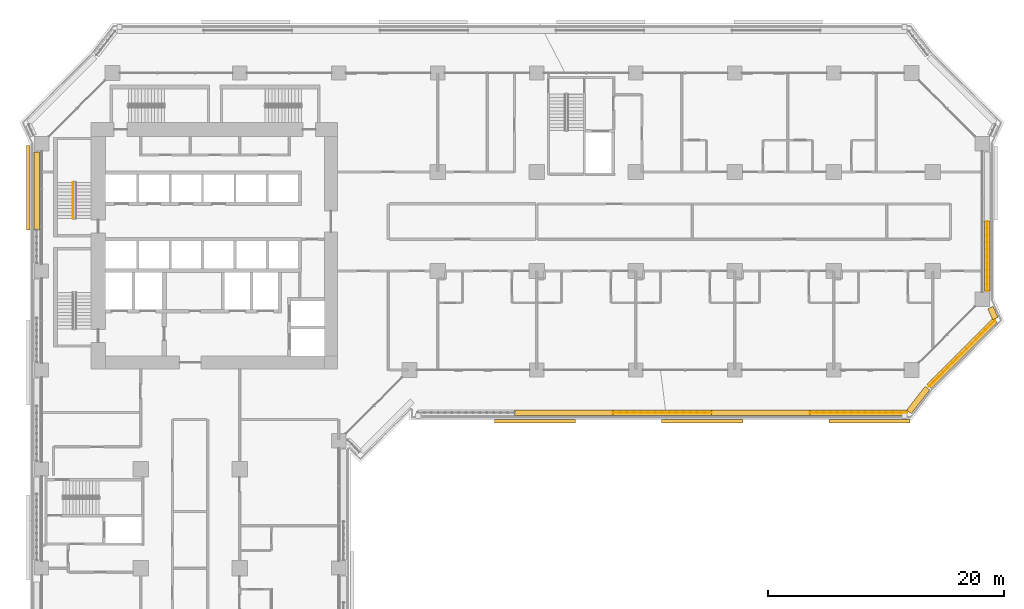
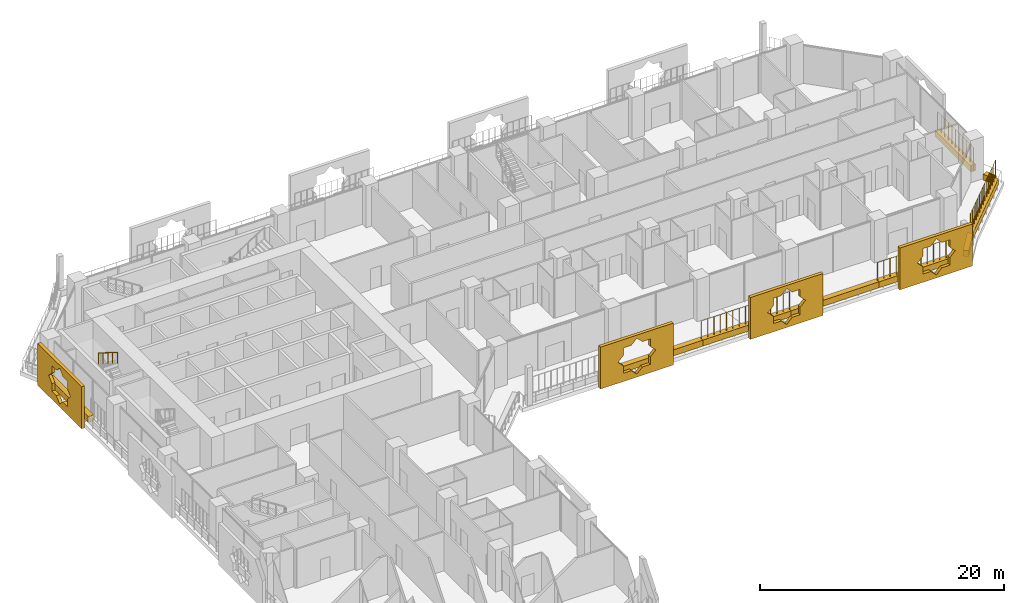
# One storey, part 26 of 29: 13 coverings, 5 railings.
"""IFC4 building model written with IfcOpenShell, lengths in metres."""

from ifc_helpers import new_model, si_unit, direction, frame, origin, origin_2d, place, context, subcontext, project, spatial, polyline, rectangle, circle, outline, extrude, material, material_profile, profile_set, type_object, element, save


model = new_model("IFC4")

# Units and contexts
model_context = context("Model", 3, precision=1e-05, world=origin(), true_north=direction((0.0, 1.0)))
body_context = subcontext(model_context, "Body", "Model", "MODEL_VIEW")
ifc_project = project(units=[si_unit("LENGTHUNIT", "METRE"), si_unit("AREAUNIT", "SQUARE_METRE"), si_unit("VOLUMEUNIT", "CUBIC_METRE"), si_unit("PLANEANGLEUNIT", "RADIAN"), si_unit("MASSUNIT", "GRAM", prefix="KILO")], contexts=[model_context])

# Site, building, storey
site_placement = place(None, origin())
site = spatial("IfcSite", under=ifc_project, at=site_placement, CompositionType="ELEMENT")
building_placement = place(site_placement, origin())
building = spatial("IfcBuilding", under=site, at=building_placement, Name="Kawkab Arch Medical Tower", CompositionType="ELEMENT")
storey_placement = place(building_placement, frame((0.0, 0.0, 60.199951171875)))
storey = spatial("IfcBuildingStorey", under=building, at=storey_placement, Name="L13", CompositionType="ELEMENT", Elevation=60.199951171875)

# Coverings
ifc_material_1 = material(Name="Bronze anodised aluminium mashrabiya panel, eight-point star pattern", Category="aluminium")
ifc_material_profile_1 = material_profile(ifc_material_1, outline(polyline([(-3.449951171875, -2.10009765625), (3.449951171875, -2.10009765625), (3.449951171875, 2.10009765625), (-3.449951171875, 2.10009765625), (-3.449951171875, -2.10009765625)]), holes=[polyline([(1.800048828125, 0.0), (1.272705078125, 0.527099609375), (1.272705078125, 1.272705078125), (0.527099609375, 1.272705078125), (0.0, 1.800048828125), (-0.527099609375, 1.272705078125), (-1.272705078125, 1.272705078125), (-1.272705078125, 0.527099609375), (-1.800048828125, 0.0), (-1.272705078125, -0.527099609375), (-1.272705078125, -1.272705078125), (-0.527099609375, -1.272705078125), (0.0, -1.800048828125), (0.527099609375, -1.272705078125), (1.272705078125, -1.272705078125), (1.272705078125, -0.527099609375), (1.800048828125, 0.0)])]), Name="Mashrabiya panel 6900x4200")
ifc_profile_set_1 = profile_set([ifc_material_profile_1], Name="Bronze anodised aluminium mashrabiya panel, eight-point star pattern")
covering_type_1 = type_object("IfcCoveringType", Name="Mashrabiya panel 6900 x 4200", PredefinedType="USERDEFINED", material=ifc_profile_set_1)
for number, where, z_axis, x_axis, name in (
    (1, (70.226318359375, -29.39990234375, 1.699951171875), (0.0, -1.0, 0.0), (1.0, 0.0, 0.0), "Mashrabiya panel L13.LOG-01-01.11"),
    (2, (56.05126953125, -29.39990234375, 1.699951171875), (0.0, -1.0, 0.0), (1.0, 0.0, 0.0), "Mashrabiya panel L13.LOG-01-01.12"),
    (3, (41.856201171875, -29.39990234375, 1.699951171875), (0.0, -1.0, 0.0), (1.0, 0.0, 0.0), "Mashrabiya panel L13.LOG-01-01.13"),
):
    element("IfcCovering", number, at=place(storey_placement, frame(where, z_axis=z_axis, x_axis=x_axis)), inside=storey, type_object=covering_type_1, Name=name, ObjectType="SCREEN", PredefinedType="USERDEFINED", context=body_context, shape_type="SweptSolid", body=[
        extrude(outline(polyline([(-3.449951171875, -2.10009765625), (3.449951171875, -2.10009765625), (3.449951171875, 2.10009765625), (-3.449951171875, 2.10009765625), (-3.449951171875, -2.10009765625)]), holes=[polyline([(1.800048828125, 0.0), (1.272705078125, 0.527099609375), (1.272705078125, 1.272705078125), (0.527099609375, 1.272705078125), (0.0, 1.800048828125), (-0.527099609375, 1.272705078125), (-1.272705078125, 1.272705078125), (-1.272705078125, 0.527099609375), (-1.800048828125, 0.0), (-1.272705078125, -0.527099609375), (-1.272705078125, -1.272705078125), (-0.527099609375, -1.272705078125), (0.0, -1.800048828125), (0.527099609375, -1.272705078125), (1.272705078125, -1.272705078125), (1.272705078125, -0.527099609375), (1.800048828125, 0.0)])]), origin(), (0.0, 0.0, 1.0), 0.300048828125),
    ])
ifc_material_2 = material(Name="Bronze anodised aluminium mashrabiya panel, eight-point star pattern", Category="aluminium")
ifc_material_profile_2 = material_profile(ifc_material_2, outline(polyline([(-3.60009765625, -2.10009765625), (3.60009765625, -2.10009765625), (3.60009765625, 2.10009765625), (-3.60009765625, 2.10009765625), (-3.60009765625, -2.10009765625)]), holes=[polyline([(1.800048828125, 0.0), (1.272705078125, 0.527099609375), (1.272705078125, 1.272705078125), (0.527099609375, 1.272705078125), (0.0, 1.800048828125), (-0.527099609375, 1.272705078125), (-1.272705078125, 1.272705078125), (-1.272705078125, 0.527099609375), (-1.800048828125, 0.0), (-1.272705078125, -0.527099609375), (-1.272705078125, -1.272705078125), (-0.527099609375, -1.272705078125), (0.0, -1.800048828125), (0.527099609375, -1.272705078125), (1.272705078125, -1.272705078125), (1.272705078125, -0.527099609375), (1.800048828125, 0.0)])]), Name="Mashrabiya panel 7200x4200")
ifc_profile_set_2 = profile_set([ifc_material_profile_2], Name="Bronze anodised aluminium mashrabiya panel, eight-point star pattern")
covering_type_2 = type_object("IfcCoveringType", Name="Mashrabiya panel 7200 x 4200", PredefinedType="USERDEFINED", material=ifc_profile_set_2)
covering_1_placement = place(storey_placement, frame((-1.0, -9.730712890625, 1.699951171875), z_axis=(-1.0, 0.0, 0.0), x_axis=(0.0, -1.0, 0.0)))
element("IfcCovering", 4, at=covering_1_placement, inside=storey, type_object=covering_type_2, Name="Mashrabiya panel L13.LOG-01-01.5", ObjectType="SCREEN", PredefinedType="USERDEFINED", context=body_context, shape_type="SweptSolid", body=[
    extrude(outline(polyline([(-3.60009765625, -2.10009765625), (3.60009765625, -2.10009765625), (3.60009765625, 2.10009765625), (-3.60009765625, 2.10009765625), (-3.60009765625, -2.10009765625)]), holes=[polyline([(1.800048828125, 0.0), (1.272705078125, 0.527099609375), (1.272705078125, 1.272705078125), (0.527099609375, 1.272705078125), (0.0, 1.800048828125), (-0.527099609375, 1.272705078125), (-1.272705078125, 1.272705078125), (-1.272705078125, 0.527099609375), (-1.800048828125, 0.0), (-1.272705078125, -0.527099609375), (-1.272705078125, -1.272705078125), (-0.527099609375, -1.272705078125), (0.0, -1.800048828125), (0.527099609375, -1.272705078125), (1.272705078125, -1.272705078125), (1.272705078125, -0.527099609375), (1.800048828125, 0.0)])]), origin(), (0.0, 0.0, 1.0), 0.300048828125),
])
ifc_material_3 = material(Name="Planting soil in a precast trough", Category="concrete")
ifc_material_profile_3 = material_profile(ifc_material_3, rectangle(XDim=0.5, YDim=0.60009765625, at=origin_2d()), Name="Trough 500x600")
ifc_profile_set_3 = profile_set([ifc_material_profile_3], Name="Planting soil in a precast trough")
covering_type_3 = type_object("IfcCoveringType", Name="Planter trough 500 x 600", PredefinedType="USERDEFINED", material=ifc_profile_set_3)
covering_2_placement = place(storey_placement, frame((-0.419921875, -13.3310546875, 0.300048828125), z_axis=(0.0, 1.0, 0.0), x_axis=(-1.0, 0.0, 0.0)))
element("IfcCovering", 5, at=covering_2_placement, inside=storey, type_object=covering_type_3, Name="Planter L13.LOG-01-01.16", ObjectType="PLANTER", PredefinedType="USERDEFINED", context=body_context, shape_type="SweptSolid", body=[
    extrude(rectangle(XDim=0.5, YDim=0.60009765625, at=origin_2d()), origin(), (0.0, 0.0, 1.0), 6.6259765625),
])
covering_3_placement = place(storey_placement, frame((80.219970703125, -12.60009765625, 0.300048828125), z_axis=(0.0, -1.0, 0.0), x_axis=(1.0, 0.0, 0.0)))
element("IfcCovering", 6, at=covering_3_placement, inside=storey, type_object=covering_type_3, Name="Planter L13.LOG-01-01.33", ObjectType="PLANTER", PredefinedType="USERDEFINED", context=body_context, shape_type="SweptSolid", body=[
    extrude(rectangle(XDim=0.5, YDim=0.60009765625, at=origin_2d()), origin(), (0.0, 0.0, 1.0), 5.89501953125),
])
covering_4_placement = place(storey_placement, frame((80.48095703125, -19.89794921875, 0.300048828125), z_axis=(0.415071571878, -0.909788761317, 0.0), x_axis=(0.909788761317, 0.415071571878, 0.0)))
element("IfcCovering", 7, at=covering_4_placement, inside=storey, type_object=covering_type_3, Name="Planter L13.LOG-01-01.34", ObjectType="PLANTER", PredefinedType="USERDEFINED", context=body_context, shape_type="SweptSolid", body=[
    extrude(rectangle(XDim=0.5, YDim=0.60009765625, at=origin_2d()), origin(), (0.0, 0.0, 1.0), 1.0146484375),
])
covering_5_placement = place(storey_placement, frame((80.873046875, -20.98291015625, 0.300048828125), z_axis=(-0.707106781187, -0.707106781187, 0.0), x_axis=(0.707106781187, -0.707106781187, 0.0)))
element("IfcCovering", 8, at=covering_5_placement, inside=storey, type_object=covering_type_3, Name="Planter L13.LOG-01-01.35", ObjectType="PLANTER", PredefinedType="USERDEFINED", context=body_context, shape_type="SweptSolid", body=[
    extrude(rectangle(XDim=0.5, YDim=0.60009765625, at=origin_2d()), origin(), (0.0, 0.0, 1.0), 7.919677734375),
])
covering_6_placement = place(storey_placement, frame((75.14111328125, -26.73193359375, 0.300048828125), z_axis=(-0.614099956103, -0.789228258436, 0.0), x_axis=(0.789228258436, -0.614099956103, 0.0)))
element("IfcCovering", 9, at=covering_6_placement, inside=storey, type_object=covering_type_3, Name="Planter L13.LOG-01-01.36", ObjectType="PLANTER", PredefinedType="USERDEFINED", context=body_context, shape_type="SweptSolid", body=[
    extrude(rectangle(XDim=0.5, YDim=0.60009765625, at=origin_2d()), origin(), (0.0, 0.0, 1.0), 2.545654296875),
])
covering_7_placement = place(storey_placement, frame((73.416015625, -28.820068359375, 0.300048828125), z_axis=(-1.0, 0.0, 0.0), x_axis=(0.0, -1.0, 0.0)))
element("IfcCovering", 10, at=covering_7_placement, inside=storey, type_object=covering_type_3, Name="Planter L13.LOG-01-01.37", ObjectType="PLANTER", PredefinedType="USERDEFINED", context=body_context, shape_type="SweptSolid", body=[
    extrude(rectangle(XDim=0.5, YDim=0.60009765625, at=origin_2d()), origin(), (0.0, 0.0, 1.0), 8.2470703125),
])
for number, where, z_axis, x_axis, name in (
    (11, (65.1689453125, -28.820068359375, 0.300048828125), (-1.0, 0.0, 0.0), (0.0, -1.0, 0.0), "Planter L13.LOG-01-01.38"),
    (12, (56.822021484375, -28.820068359375, 0.300048828125), (-1.0, 0.0, 0.0), (0.0, -1.0, 0.0), "Planter L13.LOG-01-01.39"),
):
    element("IfcCovering", number, at=place(storey_placement, frame(where, z_axis=z_axis, x_axis=x_axis)), inside=storey, type_object=covering_type_3, Name=name, ObjectType="PLANTER", PredefinedType="USERDEFINED", context=body_context, shape_type="SweptSolid", body=[
        extrude(rectangle(XDim=0.5, YDim=0.60009765625, at=origin_2d()), origin(), (0.0, 0.0, 1.0), 8.346923828125),
    ])
covering_8_placement = place(storey_placement, frame((48.47509765625, -28.820068359375, 0.300048828125), z_axis=(-1.0, 0.0, 0.0), x_axis=(0.0, -1.0, 0.0)))
element("IfcCovering", 13, at=covering_8_placement, inside=storey, type_object=covering_type_3, Name="Planter L13.LOG-01-01.40", ObjectType="PLANTER", PredefinedType="USERDEFINED", context=body_context, shape_type="SweptSolid", body=[
    extrude(rectangle(XDim=0.5, YDim=0.60009765625, at=origin_2d()), origin(), (0.0, 0.0, 1.0), 8.34814453125),
])

# Railings
ifc_material_4 = material(Name="Bronze anodised aluminium trellis for climbing plants", Category="aluminium")
railing_type_1 = type_object("IfcRailingType", Name="Planting trellis 2400", PredefinedType="USERDEFINED", material=ifc_material_4)
railing_1_placement = place(storey_placement, frame((80.219970703125, -12.60009765625, 0.0)))
element("IfcRailing", 14, at=railing_1_placement, inside=storey, type_object=railing_type_1, Name="Planting trellis L13.LOG-01-01.33", ObjectType="TRELLIS", PredefinedType="USERDEFINED", context=body_context, shape_type="SweptSolid", body=[
    extrude(circle(Radius=0.01513671875, at=origin_2d()), frame((0.0, 0.0, 2.384765625), z_axis=(0.0, -1.0, 0.0), x_axis=(1.0, 0.0, 0.0)), (0.0, 0.0, 1.0), 5.89501953125),
    extrude(circle(Radius=0.030029296875, at=origin_2d()), origin(), (0.0, 0.0, 1.0), 2.369873046875),
    extrude(circle(Radius=0.030029296875, at=origin_2d()), frame((0.0, -0.589599609375, 0.0)), (0.0, 0.0, 1.0), 2.369873046875),
    extrude(circle(Radius=0.030029296875, at=origin_2d()), frame((0.0, -1.178955078125, 0.0)), (0.0, 0.0, 1.0), 2.369873046875),
    extrude(circle(Radius=0.030029296875, at=origin_2d()), frame((0.0, -1.7685546875, 0.0)), (0.0, 0.0, 1.0), 2.369873046875),
    extrude(circle(Radius=0.030029296875, at=origin_2d()), frame((0.0, -2.35791015625, 0.0)), (0.0, 0.0, 1.0), 2.369873046875),
    extrude(circle(Radius=0.030029296875, at=origin_2d()), frame((0.0, -2.947509765625, 0.0)), (0.0, 0.0, 1.0), 2.369873046875),
    extrude(circle(Radius=0.030029296875, at=origin_2d()), frame((0.0, -3.537109375, 0.0)), (0.0, 0.0, 1.0), 2.369873046875),
    extrude(circle(Radius=0.030029296875, at=origin_2d()), frame((0.0, -4.12646484375, 0.0)), (0.0, 0.0, 1.0), 2.369873046875),
    extrude(circle(Radius=0.030029296875, at=origin_2d()), frame((0.0, -4.716064453125, 0.0)), (0.0, 0.0, 1.0), 2.369873046875),
    extrude(circle(Radius=0.030029296875, at=origin_2d()), frame((0.0, -5.305419921875, 0.0)), (0.0, 0.0, 1.0), 2.369873046875),
    extrude(circle(Radius=0.030029296875, at=origin_2d()), frame((0.0, -5.89501953125, 0.0)), (0.0, 0.0, 1.0), 2.369873046875),
])
railing_2_placement = place(storey_placement, frame((80.873046875, -20.98291015625, 0.0)))
element("IfcRailing", 15, at=railing_2_placement, inside=storey, type_object=railing_type_1, Name="Planting trellis L13.LOG-01-01.35", ObjectType="TRELLIS", PredefinedType="USERDEFINED", context=body_context, shape_type="SweptSolid", body=[
    extrude(circle(Radius=0.01513671875, at=origin_2d()), frame((0.0, 0.0, 2.384765625), z_axis=(-0.707106781187, -0.707106781187, 0.0), x_axis=(0.707106781187, -0.707106781187, 0.0)), (0.0, 0.0, 1.0), 7.919677734375),
    extrude(circle(Radius=0.030029296875, at=origin_2d()), origin(), (0.0, 0.0, 1.0), 2.369873046875),
    extrude(circle(Radius=0.030029296875, at=origin_2d()), frame((-0.39990234375, -0.39990234375, 0.0)), (0.0, 0.0, 1.0), 2.369873046875),
    extrude(circle(Radius=0.030029296875, at=origin_2d()), frame((-0.800048828125, -0.800048828125, 0.0)), (0.0, 0.0, 1.0), 2.369873046875),
    extrude(circle(Radius=0.030029296875, at=origin_2d()), frame((-1.199951171875, -1.199951171875, 0.0)), (0.0, 0.0, 1.0), 2.369873046875),
    extrude(circle(Radius=0.030029296875, at=origin_2d()), frame((-1.60009765625, -1.60009765625, 0.0)), (0.0, 0.0, 1.0), 2.369873046875),
    extrude(circle(Radius=0.030029296875, at=origin_2d()), frame((-2.0, -2.0, 0.0)), (0.0, 0.0, 1.0), 2.369873046875),
    extrude(circle(Radius=0.030029296875, at=origin_2d()), frame((-2.400146484375, -2.400146484375, 0.0)), (0.0, 0.0, 1.0), 2.369873046875),
    extrude(circle(Radius=0.030029296875, at=origin_2d()), frame((-2.800048828125, -2.800048828125, 0.0)), (0.0, 0.0, 1.0), 2.369873046875),
    extrude(circle(Radius=0.030029296875, at=origin_2d()), frame((-3.199951171875, -3.199951171875, 0.0)), (0.0, 0.0, 1.0), 2.369873046875),
    extrude(circle(Radius=0.030029296875, at=origin_2d()), frame((-3.60009765625, -3.60009765625, 0.0)), (0.0, 0.0, 1.0), 2.369873046875),
    extrude(circle(Radius=0.030029296875, at=origin_2d()), frame((-4.0, -4.0, 0.0)), (0.0, 0.0, 1.0), 2.369873046875),
    extrude(circle(Radius=0.030029296875, at=origin_2d()), frame((-4.400146484375, -4.400146484375, 0.0)), (0.0, 0.0, 1.0), 2.369873046875),
    extrude(circle(Radius=0.030029296875, at=origin_2d()), frame((-4.800048828125, -4.800048828125, 0.0)), (0.0, 0.0, 1.0), 2.369873046875),
    extrude(circle(Radius=0.030029296875, at=origin_2d()), frame((-5.2001953125, -5.2001953125, 0.0)), (0.0, 0.0, 1.0), 2.369873046875),
    extrude(circle(Radius=0.030029296875, at=origin_2d()), frame((-5.60009765625, -5.60009765625, 0.0)), (0.0, 0.0, 1.0), 2.369873046875),
])
railing_3_placement = place(storey_placement, frame((73.416015625, -28.820068359375, 0.0)))
element("IfcRailing", 16, at=railing_3_placement, inside=storey, type_object=railing_type_1, Name="Planting trellis L13.LOG-01-01.37", ObjectType="TRELLIS", PredefinedType="USERDEFINED", context=body_context, shape_type="SweptSolid", body=[
    extrude(circle(Radius=0.01513671875, at=origin_2d()), frame((0.0, 0.0, 2.384765625), z_axis=(-1.0, 0.0, 0.0), x_axis=(0.0, -1.0, 0.0)), (0.0, 0.0, 1.0), 8.2470703125),
    extrude(circle(Radius=0.030029296875, at=origin_2d()), origin(), (0.0, 0.0, 1.0), 2.369873046875),
    extrude(circle(Radius=0.030029296875, at=origin_2d()), frame((-0.589111328125, 0.0, 0.0)), (0.0, 0.0, 1.0), 2.369873046875),
    extrude(circle(Radius=0.030029296875, at=origin_2d()), frame((-1.17822265625, 0.0, 0.0)), (0.0, 0.0, 1.0), 2.369873046875),
    extrude(circle(Radius=0.030029296875, at=origin_2d()), frame((-1.767333984375, 0.0, 0.0)), (0.0, 0.0, 1.0), 2.369873046875),
    extrude(circle(Radius=0.030029296875, at=origin_2d()), frame((-2.356201171875, 0.0, 0.0)), (0.0, 0.0, 1.0), 2.369873046875),
    extrude(circle(Radius=0.030029296875, at=origin_2d()), frame((-2.9453125, 0.0, 0.0)), (0.0, 0.0, 1.0), 2.369873046875),
    extrude(circle(Radius=0.030029296875, at=origin_2d()), frame((-3.534423828125, 0.0, 0.0)), (0.0, 0.0, 1.0), 2.369873046875),
    extrude(circle(Radius=0.030029296875, at=origin_2d()), frame((-4.12353515625, 0.0, 0.0)), (0.0, 0.0, 1.0), 2.369873046875),
    extrude(circle(Radius=0.030029296875, at=origin_2d()), frame((-4.712646484375, 0.0, 0.0)), (0.0, 0.0, 1.0), 2.369873046875),
    extrude(circle(Radius=0.030029296875, at=origin_2d()), frame((-5.3017578125, 0.0, 0.0)), (0.0, 0.0, 1.0), 2.369873046875),
    extrude(circle(Radius=0.030029296875, at=origin_2d()), frame((-5.890869140625, 0.0, 0.0)), (0.0, 0.0, 1.0), 2.369873046875),
    extrude(circle(Radius=0.030029296875, at=origin_2d()), frame((-6.479736328125, 0.0, 0.0)), (0.0, 0.0, 1.0), 2.369873046875),
    extrude(circle(Radius=0.030029296875, at=origin_2d()), frame((-7.06884765625, 0.0, 0.0)), (0.0, 0.0, 1.0), 2.369873046875),
    extrude(circle(Radius=0.030029296875, at=origin_2d()), frame((-7.657958984375, 0.0, 0.0)), (0.0, 0.0, 1.0), 2.369873046875),
    extrude(circle(Radius=0.030029296875, at=origin_2d()), frame((-8.2470703125, 0.0, 0.0)), (0.0, 0.0, 1.0), 2.369873046875),
])
railing_4_placement = place(storey_placement, frame((56.822021484375, -28.820068359375, 0.0)))
element("IfcRailing", 17, at=railing_4_placement, inside=storey, type_object=railing_type_1, Name="Planting trellis L13.LOG-01-01.39", ObjectType="TRELLIS", PredefinedType="USERDEFINED", context=body_context, shape_type="SweptSolid", body=[
    extrude(circle(Radius=0.01513671875, at=origin_2d()), frame((0.0, 0.0, 2.384765625), z_axis=(-1.0, 0.0, 0.0), x_axis=(0.0, -1.0, 0.0)), (0.0, 0.0, 1.0), 8.346923828125),
    extrude(circle(Radius=0.030029296875, at=origin_2d()), origin(), (0.0, 0.0, 1.0), 2.369873046875),
    extrude(circle(Radius=0.030029296875, at=origin_2d()), frame((-0.59619140625, 0.0, 0.0)), (0.0, 0.0, 1.0), 2.369873046875),
    extrude(circle(Radius=0.030029296875, at=origin_2d()), frame((-1.1923828125, 0.0, 0.0)), (0.0, 0.0, 1.0), 2.369873046875),
    extrude(circle(Radius=0.030029296875, at=origin_2d()), frame((-1.78857421875, 0.0, 0.0)), (0.0, 0.0, 1.0), 2.369873046875),
    extrude(circle(Radius=0.030029296875, at=origin_2d()), frame((-2.384765625, 0.0, 0.0)), (0.0, 0.0, 1.0), 2.369873046875),
    extrude(circle(Radius=0.030029296875, at=origin_2d()), frame((-2.98095703125, 0.0, 0.0)), (0.0, 0.0, 1.0), 2.369873046875),
    extrude(circle(Radius=0.030029296875, at=origin_2d()), frame((-3.5771484375, 0.0, 0.0)), (0.0, 0.0, 1.0), 2.369873046875),
    extrude(circle(Radius=0.030029296875, at=origin_2d()), frame((-4.17333984375, 0.0, 0.0)), (0.0, 0.0, 1.0), 2.369873046875),
    extrude(circle(Radius=0.030029296875, at=origin_2d()), frame((-4.769775390625, 0.0, 0.0)), (0.0, 0.0, 1.0), 2.369873046875),
    extrude(circle(Radius=0.030029296875, at=origin_2d()), frame((-5.365966796875, 0.0, 0.0)), (0.0, 0.0, 1.0), 2.369873046875),
    extrude(circle(Radius=0.030029296875, at=origin_2d()), frame((-5.962158203125, 0.0, 0.0)), (0.0, 0.0, 1.0), 2.369873046875),
    extrude(circle(Radius=0.030029296875, at=origin_2d()), frame((-6.558349609375, 0.0, 0.0)), (0.0, 0.0, 1.0), 2.369873046875),
    extrude(circle(Radius=0.030029296875, at=origin_2d()), frame((-7.154541015625, 0.0, 0.0)), (0.0, 0.0, 1.0), 2.369873046875),
    extrude(circle(Radius=0.030029296875, at=origin_2d()), frame((-7.750732421875, 0.0, 0.0)), (0.0, 0.0, 1.0), 2.369873046875),
    extrude(circle(Radius=0.030029296875, at=origin_2d()), frame((-8.346923828125, 0.0, 0.0)), (0.0, 0.0, 1.0), 2.369873046875),
])
ifc_material_5 = material(Name="Stainless steel", Category="steel")
railing_type_2 = type_object("IfcRailingType", Name="Stair guard 1100", PredefinedType="GUARDRAIL", material=ifc_material_5)
railing_5_placement = place(storey_placement, frame((2.64990234375, -9.27001953125, 2.275146484375)))
element("IfcRailing", 18, at=railing_5_placement, inside=storey, type_object=railing_type_2, Name="L13 ST1 stair guard 3", PredefinedType="GUARDRAIL", context=body_context, shape_type="SweptSolid", body=[
    extrude(circle(Radius=0.02392578125, at=origin_2d()), frame((0.0, 0.0, 1.076171875), z_axis=(0.0, -0.848028513186, 0.529950602248), x_axis=(1.0, 0.0, 0.0)), (0.0, 0.0, 1.0), 3.632080078125),
    extrude(circle(Radius=0.02099609375, at=origin_2d()), origin(), (0.0, 0.0, 1.0), 1.052001953125),
    extrude(circle(Radius=0.02099609375, at=origin_2d()), frame((0.0, -0.77001953125, 0.481201171875)), (0.0, 0.0, 1.0), 1.052001953125),
    extrude(circle(Radius=0.02099609375, at=origin_2d()), frame((0.0, -1.5400390625, 0.96240234375)), (0.0, 0.0, 1.0), 1.052001953125),
    extrude(circle(Radius=0.02099609375, at=origin_2d()), frame((0.0, -2.31005859375, 1.443603515625)), (0.0, 0.0, 1.0), 1.052001953125),
    extrude(circle(Radius=0.02099609375, at=origin_2d()), frame((0.0, -3.080078125, 1.9248046875)), (0.0, 0.0, 1.0), 1.052001953125),
])

save(model, "model.ifc")
